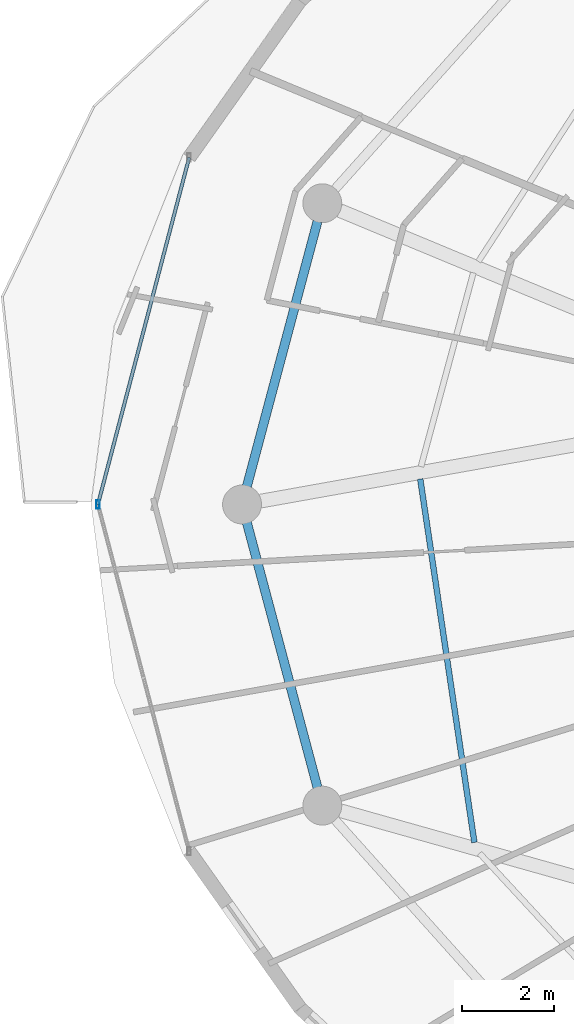
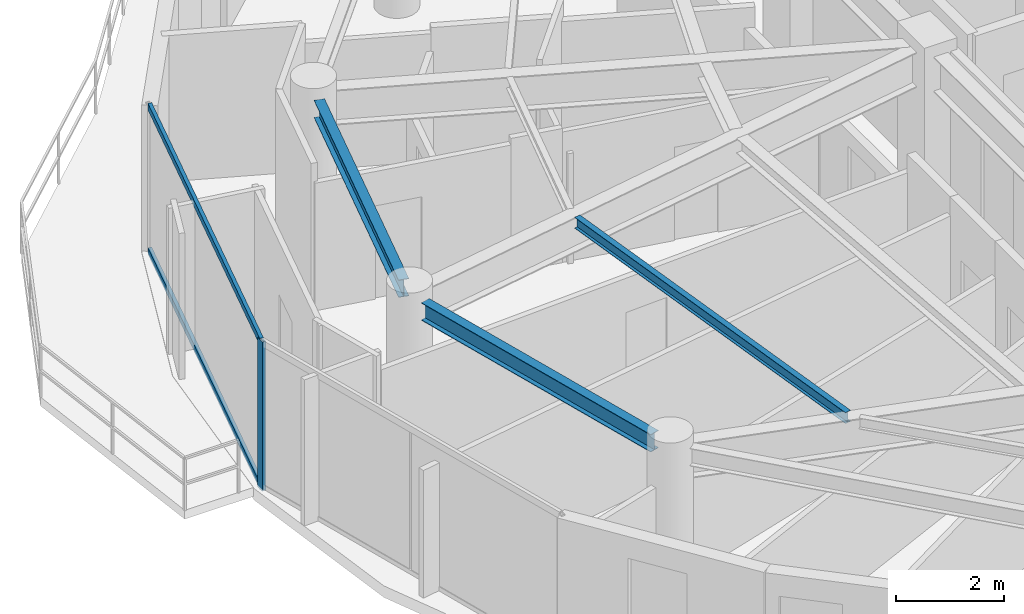
# One storey, part 6 of 30: 3 beams, 3 members, 1 element without a shape of its own.
"""IFC4 building model written with IfcOpenShell, lengths in metres."""

from ifc_helpers import new_model, si_unit, direction, frame, origin, origin_2d, place, context, subcontext, project, spatial, hollow_rectangle, i_section, extrude, material, material_profile, profile_set, type_object, element, aggregate, save


model = new_model("IFC4")

# Units and contexts
model_context = context("Model", 3, precision=1e-05, world=origin(), true_north=direction((0.0, 1.0)))
body_context = subcontext(model_context, "Body", "Model", "MODEL_VIEW")
ifc_project = project(units=[si_unit("LENGTHUNIT", "METRE"), si_unit("AREAUNIT", "SQUARE_METRE"), si_unit("VOLUMEUNIT", "CUBIC_METRE"), si_unit("PLANEANGLEUNIT", "RADIAN"), si_unit("MASSUNIT", "GRAM", prefix="KILO")], contexts=[model_context])

# Site, building, storey
site_placement = place(None, origin())
site = spatial("IfcSite", under=ifc_project, at=site_placement, CompositionType="ELEMENT")
building_placement = place(site_placement, origin())
building = spatial("IfcBuilding", under=site, at=building_placement, Name="Vorneva Point Tower", CompositionType="ELEMENT")
storey_placement = place(building_placement, frame((0.0, 0.0, 262.64990234375)))
storey = spatial("IfcBuildingStorey", under=building, at=storey_placement, Name="L71", CompositionType="ELEMENT", Elevation=262.64990234375)

# Beams
ifc_material_1 = material(Name="Steel S355", Category="steel")
ifc_material_profile_1 = material_profile(ifc_material_1, i_section(OverallWidth=0.1240234375, OverallDepth=0.248046875, WebThickness=0.0048828125, FlangeThickness=0.008056640625, at=origin_2d()), Name="25B1")
ifc_profile_set_1 = profile_set([ifc_material_profile_1], Name="Steel S355")
beam_type_1 = type_object("IfcBeamType", Name="BM-JST-25B1", PredefinedType="JOIST", material=ifc_profile_set_1)
beam_placement = place(storey_placement, frame((18.844482421875, 26.556396484375, 3.166015625), z_axis=(0.147381541566, -0.989079714283, 0.0), x_axis=(0.989079714283, 0.147381541566, 0.0)))
element("IfcBeam", 1, at=beam_placement, inside=storey, type_object=beam_type_1, Name="L71 Secondary Floor Beam 1.09", PredefinedType="JOIST", context=body_context, shape_type="SweptSolid", body=[
    extrude(i_section(OverallWidth=0.1240234375, OverallDepth=0.248046875, WebThickness=0.0048828125, FlangeThickness=0.008056640625, at=origin_2d()), origin(), (0.0, 0.0, 1.0), 8.03076171875),
])
ifc_material_profile_2 = material_profile(ifc_material_1, i_section(OverallWidth=0.198974609375, OverallDepth=0.39599609375, WebThickness=0.007080078125, FlangeThickness=0.010986328125, at=origin_2d()), Name="40B1")
ifc_profile_set_2 = profile_set([ifc_material_profile_2], Name="Steel S355")
beam_type_2 = type_object("IfcBeamType", Name="BM-SPN-40B1", PredefinedType="SPANDREL", material=ifc_profile_set_2)
for number, where, z_axis, x_axis, name in (
    (2, (16.59912109375, 32.18603515625, 3.092041015625), (-0.257586570866, -0.966255224312, 0.0), (0.966255224312, -0.257586570866, 0.0), "L71 Perimeter Spandrel Ring Beam 08"),
    (3, (15.0556640625, 25.603759765625, 3.092041015625), (0.257586570866, -0.966255224312, 0.0), (0.966255224312, 0.257586570866, 0.0), "L71 Perimeter Spandrel Ring Beam 09"),
):
    element("IfcBeam", number, at=place(storey_placement, frame(where, z_axis=z_axis, x_axis=x_axis)), inside=storey, type_object=beam_type_2, Name=name, PredefinedType="SPANDREL", context=body_context, shape_type="SweptSolid", body=[
        extrude(i_section(OverallWidth=0.198974609375, OverallDepth=0.39599609375, WebThickness=0.007080078125, FlangeThickness=0.010986328125, at=origin_2d()), origin(), (0.0, 0.0, 1.0), 5.991943359375),
    ])

# Curtain wall, members
ifc_material_2 = material(Name="Pale anodised aluminium", Category="aluminium")
curtain_wall_type = type_object("IfcCurtainWallType", Name="CW-RES-SYS", PredefinedType="NOTDEFINED", material=ifc_material_2)
curtain_wall_placement = place(storey_placement, origin())
curtain_wall = element("IfcCurtainWall", 4, at=curtain_wall_placement, inside=storey, type_object=curtain_wall_type, Name="L71 Unitised Curtain Wall CW-L71-R03", PredefinedType="NOTDEFINED")
ifc_material_profile_3 = material_profile(ifc_material_2, hollow_rectangle(XDim=0.074951171875, YDim=0.179931640625, WallThickness=0.00390625, at=origin_2d()), Name="AL-MUL 180x75x4")
ifc_profile_set_3 = profile_set([ifc_material_profile_3], Name="Pale anodised aluminium")
member_type_1 = type_object("IfcMemberType", Name="CW-MUL-180", PredefinedType="MULLION", material=ifc_profile_set_3)
member_1_placement = place(storey_placement, frame((11.800048828125, 26.0, -0.039794921875), z_axis=(0.0, 0.0, 1.0), x_axis=(1.0, 0.0, 0.0)))
member_1 = element("IfcMember", 5, at=member_1_placement, type_object=member_type_1, Name="CW-L71-R03 Mullion 02", PredefinedType="MULLION", context=body_context, shape_type="SweptSolid", body=[
    extrude(hollow_rectangle(XDim=0.074951171875, YDim=0.179931640625, WallThickness=0.00390625, at=origin_2d()), origin(), (0.0, 0.0, 1.0), 3.35986328125),
])
ifc_material_profile_4 = material_profile(ifc_material_2, hollow_rectangle(XDim=0.074951171875, YDim=0.14990234375, WallThickness=0.00390625, at=origin_2d()), Name="AL-TRN 150x75x4")
ifc_profile_set_4 = profile_set([ifc_material_profile_4], Name="Pale anodised aluminium")
member_type_2 = type_object("IfcMemberType", Name="CW-TRN-150", PredefinedType="USERDEFINED", material=ifc_profile_set_4)
member_2_placement = place(storey_placement, frame((13.79443359375, 33.5810546875, 0.02001953125), z_axis=(-0.254418180926, -0.967094302131, 0.0), x_axis=(0.967094302131, -0.254418180926, 0.0)))
member_2 = element("IfcMember", 6, at=member_2_placement, type_object=member_type_2, Name="CW-L71-R03 Transom 01.1", ObjectType="TRANSOM", PredefinedType="USERDEFINED", context=body_context, shape_type="SweptSolid", body=[
    extrude(hollow_rectangle(XDim=0.074951171875, YDim=0.14990234375, WallThickness=0.00390625, at=origin_2d()), origin(), (0.0, 0.0, 1.0), 7.839111328125),
])
member_3_placement = place(storey_placement, frame((13.79443359375, 33.5810546875, 3.27001953125), z_axis=(-0.254418180926, -0.967094302131, 0.0), x_axis=(0.967094302131, -0.254418180926, 0.0)))
member_3 = element("IfcMember", 7, at=member_3_placement, type_object=member_type_2, Name="CW-L71-R03 Transom 01.2", ObjectType="TRANSOM", PredefinedType="USERDEFINED", context=body_context, shape_type="SweptSolid", body=[
    extrude(hollow_rectangle(XDim=0.074951171875, YDim=0.14990234375, WallThickness=0.00390625, at=origin_2d()), origin(), (0.0, 0.0, 1.0), 7.839111328125),
])
aggregate(curtain_wall, [member_1, member_2, member_3])

save(model, "model.ifc")
